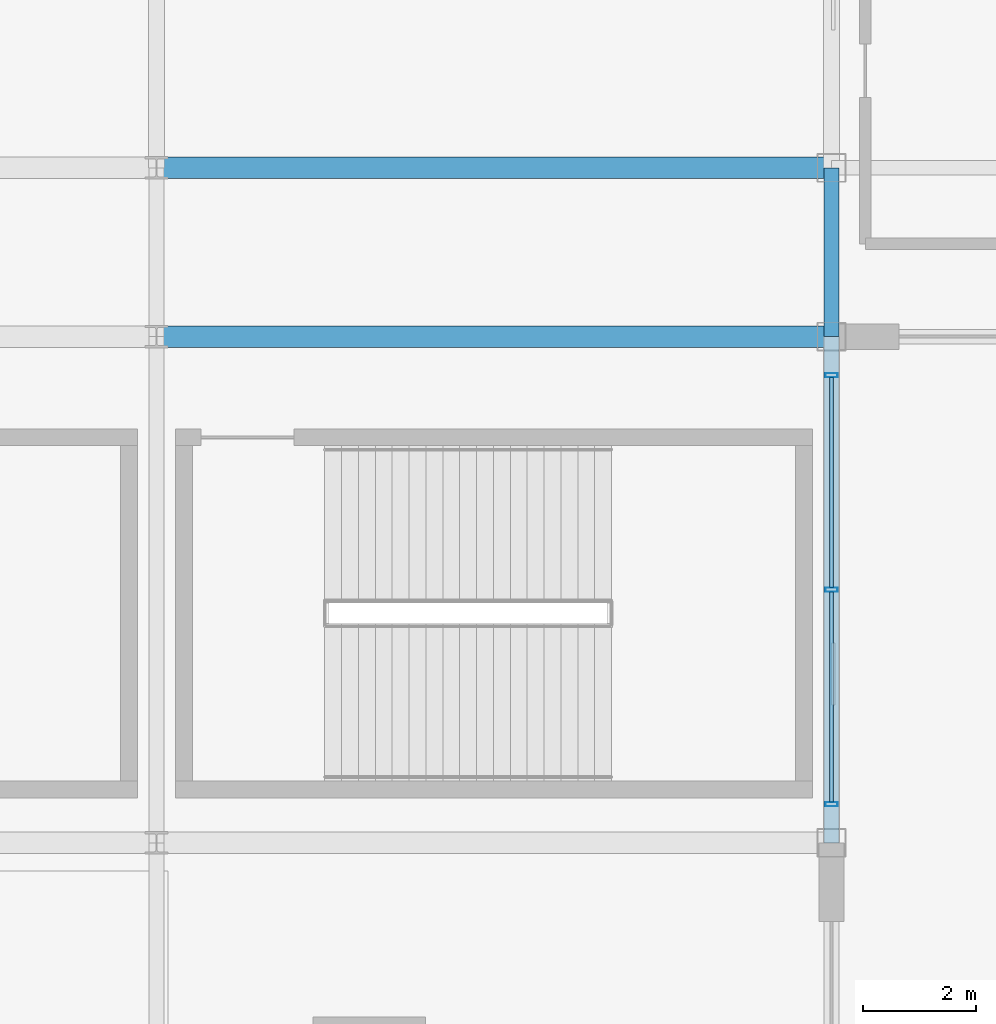
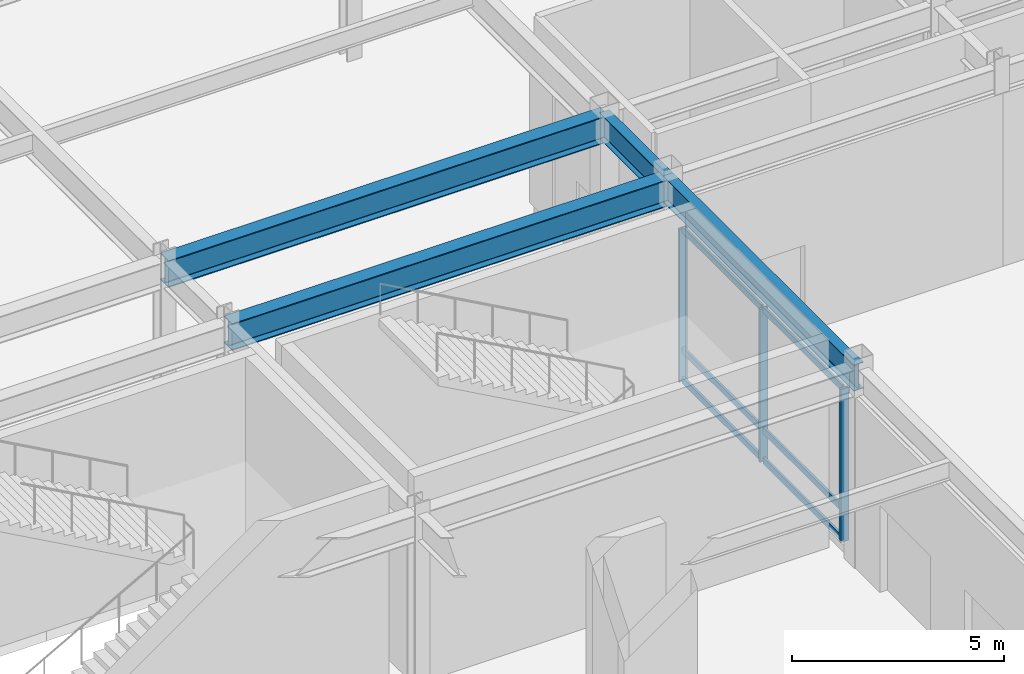
# One storey, part 17 of 44: 9 members, 4 beams, 1 element without a shape of its own.
"""IFC4 building model written with IfcOpenShell, lengths in metres."""

from ifc_helpers import new_model, si_unit, direction, frame, origin, origin_2d, place, context, subcontext, project, spatial, hollow_rectangle, i_section, extrude, material, material_profile, profile_set, type_object, element, aggregate, save


model = new_model("IFC4")

# Units and contexts
model_context = context("Model", 3, precision=1e-05, world=origin(), true_north=direction((0.0, 1.0)))
body_context = subcontext(model_context, "Body", "Model", "MODEL_VIEW")
ifc_project = project(units=[si_unit("LENGTHUNIT", "METRE"), si_unit("AREAUNIT", "SQUARE_METRE"), si_unit("VOLUMEUNIT", "CUBIC_METRE"), si_unit("PLANEANGLEUNIT", "RADIAN"), si_unit("MASSUNIT", "GRAM", prefix="KILO")], contexts=[model_context])

# Site, building, storey
site_placement = place(None, origin())
site = spatial("IfcSite", under=ifc_project, at=site_placement, CompositionType="ELEMENT")
building_placement = place(site_placement, origin())
building = spatial("IfcBuilding", under=site, at=building_placement, Name="Kaldorvane Square Convention Centre", CompositionType="ELEMENT")
storey_placement = place(building_placement, origin())
storey = spatial("IfcBuildingStorey", under=building, at=storey_placement, Name="L00", CompositionType="ELEMENT", Elevation=0.0)

# Beams
ifc_material_1 = material(Name="Steel ASTM A992 Gr. 50", Category="steel")
ifc_material_profile_1 = material_profile(ifc_material_1, i_section(OverallWidth=0.2666015625, OverallDepth=0.762298583984375, WebThickness=0.014404296875, FlangeThickness=0.0216064453125, FilletRadius=0.0164947509765625, at=origin_2d()), Name="W30X116")
ifc_profile_set_1 = profile_set([ifc_material_profile_1], Name="Steel ASTM A992 Gr. 50")
beam_type_1 = type_object("IfcBeamType", Name="BM-GR-W30X116", PredefinedType="BEAM", material=ifc_profile_set_1)
beam_1_placement = place(storey_placement, frame((138.0, 72.0, 5.2949066162109375), z_axis=(0.0, 1.0, 0.0), x_axis=(-1.0, 0.0, 0.0)))
element("IfcBeam", 1, at=beam_1_placement, inside=storey, type_object=beam_type_1, Name="Transverse Girder (L00)", PredefinedType="BEAM", context=body_context, shape_type="SweptSolid", body=[
    extrude(i_section(OverallWidth=0.2666015625, OverallDepth=0.762298583984375, WebThickness=0.014404296875, FlangeThickness=0.0216064453125, FilletRadius=0.0164947509765625, at=origin_2d()), origin(), (0.0, 0.0, 1.0), 9.0),
])
beam_2_placement = place(storey_placement, frame((138.0, 81.0, 5.2949066162109375), z_axis=(0.0, 1.0, 0.0), x_axis=(-1.0, 0.0, 0.0)))
element("IfcBeam", 2, at=beam_2_placement, inside=storey, type_object=beam_type_1, Name="Transverse Girder (L00)", PredefinedType="BEAM", context=body_context, shape_type="SweptSolid", body=[
    extrude(i_section(OverallWidth=0.2666015625, OverallDepth=0.762298583984375, WebThickness=0.014404296875, FlangeThickness=0.0216064453125, FilletRadius=0.0164947509765625, at=origin_2d()), origin(), (0.0, 0.0, 1.0), 3.0),
])
ifc_material_profile_2 = material_profile(ifc_material_1, i_section(OverallWidth=0.380706787109375, OverallDepth=0.773193359375, WebThickness=0.0166015625, FlangeThickness=0.027099609375, FilletRadius=0.0164947509765625, at=origin_2d()), Name="W30X173")
ifc_profile_set_2 = profile_set([ifc_material_profile_2], Name="Steel ASTM A992 Gr. 50")
beam_type_2 = type_object("IfcBeamType", Name="BM-GR-W30X173", PredefinedType="BEAM", material=ifc_profile_set_2)
for number, where, z_axis, x_axis, name in (
    (3, (126.0, 81.0, 5.289398193359375), (1.0, 0.0, 0.0), (0.0, 1.0, 0.0), "Primary Girder (L00)"),
    (4, (126.0, 84.0, 5.289398193359375), (1.0, 0.0, 0.0), (0.0, 1.0, 0.0), "Primary Girder (L00)"),
):
    element("IfcBeam", number, at=place(storey_placement, frame(where, z_axis=z_axis, x_axis=x_axis)), inside=storey, type_object=beam_type_2, Name=name, PredefinedType="BEAM", context=body_context, shape_type="SweptSolid", body=[
        extrude(i_section(OverallWidth=0.380706787109375, OverallDepth=0.773193359375, WebThickness=0.0166015625, FlangeThickness=0.027099609375, FilletRadius=0.0164947509765625, at=origin_2d()), origin(), (0.0, 0.0, 1.0), 12.0),
    ])

# Curtain wall, members
ifc_material_2 = material(Name="Anodized Aluminum and Low-E Insulated Glazing", Category="aluminium")
curtain_wall_type = type_object("IfcCurtainWallType", Name="CW-PTS-FC-60", PredefinedType="USERDEFINED", material=ifc_material_2)
curtain_wall_placement = place(storey_placement, origin())
curtain_wall = element("IfcCurtainWall", 5, at=curtain_wall_placement, inside=storey, type_object=curtain_wall_type, Name="Curtain Wall CW-07 (L00)", ObjectType="POINT SUPPORTED GLAZING", PredefinedType="USERDEFINED")
ifc_material_profile_3 = material_profile(ifc_material_2, hollow_rectangle(XDim=0.0749969482421875, YDim=0.220001220703125, WallThickness=0.003997802734375, at=origin_2d()), Name="CWM-220X75")
ifc_profile_set_3 = profile_set([ifc_material_profile_3], Name="Anodized Aluminum and Low-E Insulated Glazing")
member_type_1 = type_object("IfcMemberType", Name="CW-MUL-220", PredefinedType="MULLION", material=ifc_profile_set_3)
member_1_placement = place(storey_placement, frame((138.0, 72.6875, 0.149993896484375), z_axis=(0.0, 0.0, 1.0), x_axis=(0.0, 1.0, 0.0)))
member_1 = element("IfcMember", 6, at=member_1_placement, type_object=member_type_1, Name="CW-07 mullion 1", PredefinedType="MULLION", context=body_context, shape_type="SweptSolid", body=[
    extrude(hollow_rectangle(XDim=0.0749969482421875, YDim=0.220001220703125, WallThickness=0.003997802734375, at=origin_2d()), origin(), (0.0, 0.0, 1.0), 4.410003662109375),
])
member_2_placement = place(storey_placement, frame((138.0, 76.5, 0.149993896484375), z_axis=(0.0, 0.0, 1.0), x_axis=(0.0, 1.0, 0.0)))
member_2 = element("IfcMember", 7, at=member_2_placement, type_object=member_type_1, Name="CW-07 mullion 2", PredefinedType="MULLION", context=body_context, shape_type="SweptSolid", body=[
    extrude(hollow_rectangle(XDim=0.0749969482421875, YDim=0.220001220703125, WallThickness=0.003997802734375, at=origin_2d()), origin(), (0.0, 0.0, 1.0), 4.410003662109375),
])
member_3_placement = place(storey_placement, frame((138.0, 80.3125, 0.149993896484375), z_axis=(0.0, 0.0, 1.0), x_axis=(0.0, 1.0, 0.0)))
member_3 = element("IfcMember", 8, at=member_3_placement, type_object=member_type_1, Name="CW-07 mullion 3", PredefinedType="MULLION", context=body_context, shape_type="SweptSolid", body=[
    extrude(hollow_rectangle(XDim=0.0749969482421875, YDim=0.220001220703125, WallThickness=0.003997802734375, at=origin_2d()), origin(), (0.0, 0.0, 1.0), 4.410003662109375),
])
ifc_material_profile_4 = material_profile(ifc_material_2, hollow_rectangle(XDim=0.06500244140625, YDim=0.17999267578125, WallThickness=0.0034942626953125, at=origin_2d()), Name="CWT-180X65")
ifc_profile_set_4 = profile_set([ifc_material_profile_4], Name="Anodized Aluminum and Low-E Insulated Glazing")
member_type_2 = type_object("IfcMemberType", Name="CW-TRN-180", PredefinedType="USERDEFINED", material=ifc_profile_set_4)
member_4_placement = place(storey_placement, frame((138.0, 72.72500610351562, 0.1824951171875), z_axis=(0.0, 1.0, 0.0), x_axis=(-1.0, 0.0, 0.0)))
member_4 = element("IfcMember", 9, at=member_4_placement, type_object=member_type_2, Name="CW-07 transom 1.1", ObjectType="TRANSOM", PredefinedType="USERDEFINED", context=body_context, shape_type="SweptSolid", body=[
    extrude(hollow_rectangle(XDim=0.06500244140625, YDim=0.17999267578125, WallThickness=0.0034942626953125, at=origin_2d()), origin(), (0.0, 0.0, 1.0), 3.73748779296875),
])
member_5_placement = place(storey_placement, frame((138.0, 72.72500610351562, 1.0500030517578125), z_axis=(0.0, 1.0, 0.0), x_axis=(-1.0, 0.0, 0.0)))
member_5 = element("IfcMember", 10, at=member_5_placement, type_object=member_type_2, Name="CW-07 transom 1.2", ObjectType="TRANSOM", PredefinedType="USERDEFINED", context=body_context, shape_type="SweptSolid", body=[
    extrude(hollow_rectangle(XDim=0.06500244140625, YDim=0.17999267578125, WallThickness=0.0034942626953125, at=origin_2d()), origin(), (0.0, 0.0, 1.0), 3.73748779296875),
])
member_6_placement = place(storey_placement, frame((138.0, 72.72500610351562, 4.527496337890625), z_axis=(0.0, 1.0, 0.0), x_axis=(-1.0, 0.0, 0.0)))
member_6 = element("IfcMember", 11, at=member_6_placement, type_object=member_type_2, Name="CW-07 transom 1.3", ObjectType="TRANSOM", PredefinedType="USERDEFINED", context=body_context, shape_type="SweptSolid", body=[
    extrude(hollow_rectangle(XDim=0.06500244140625, YDim=0.17999267578125, WallThickness=0.0034942626953125, at=origin_2d()), origin(), (0.0, 0.0, 1.0), 3.73748779296875),
])
member_7_placement = place(storey_placement, frame((138.0, 76.53750610351562, 0.1824951171875), z_axis=(0.0, 1.0, 0.0), x_axis=(-1.0, 0.0, 0.0)))
member_7 = element("IfcMember", 12, at=member_7_placement, type_object=member_type_2, Name="CW-07 transom 2.1", ObjectType="TRANSOM", PredefinedType="USERDEFINED", context=body_context, shape_type="SweptSolid", body=[
    extrude(hollow_rectangle(XDim=0.06500244140625, YDim=0.17999267578125, WallThickness=0.0034942626953125, at=origin_2d()), origin(), (0.0, 0.0, 1.0), 3.73748779296875),
])
member_8_placement = place(storey_placement, frame((138.0, 76.53750610351562, 1.0500030517578125), z_axis=(0.0, 1.0, 0.0), x_axis=(-1.0, 0.0, 0.0)))
member_8 = element("IfcMember", 13, at=member_8_placement, type_object=member_type_2, Name="CW-07 transom 2.2", ObjectType="TRANSOM", PredefinedType="USERDEFINED", context=body_context, shape_type="SweptSolid", body=[
    extrude(hollow_rectangle(XDim=0.06500244140625, YDim=0.17999267578125, WallThickness=0.0034942626953125, at=origin_2d()), origin(), (0.0, 0.0, 1.0), 3.73748779296875),
])
member_9_placement = place(storey_placement, frame((138.0, 76.53750610351562, 4.527496337890625), z_axis=(0.0, 1.0, 0.0), x_axis=(-1.0, 0.0, 0.0)))
member_9 = element("IfcMember", 14, at=member_9_placement, type_object=member_type_2, Name="CW-07 transom 2.3", ObjectType="TRANSOM", PredefinedType="USERDEFINED", context=body_context, shape_type="SweptSolid", body=[
    extrude(hollow_rectangle(XDim=0.06500244140625, YDim=0.17999267578125, WallThickness=0.0034942626953125, at=origin_2d()), origin(), (0.0, 0.0, 1.0), 3.73748779296875),
])
aggregate(curtain_wall, [member_1, member_2, member_3, member_4, member_5, member_6, member_7, member_8, member_9])

save(model, "model.ifc")
